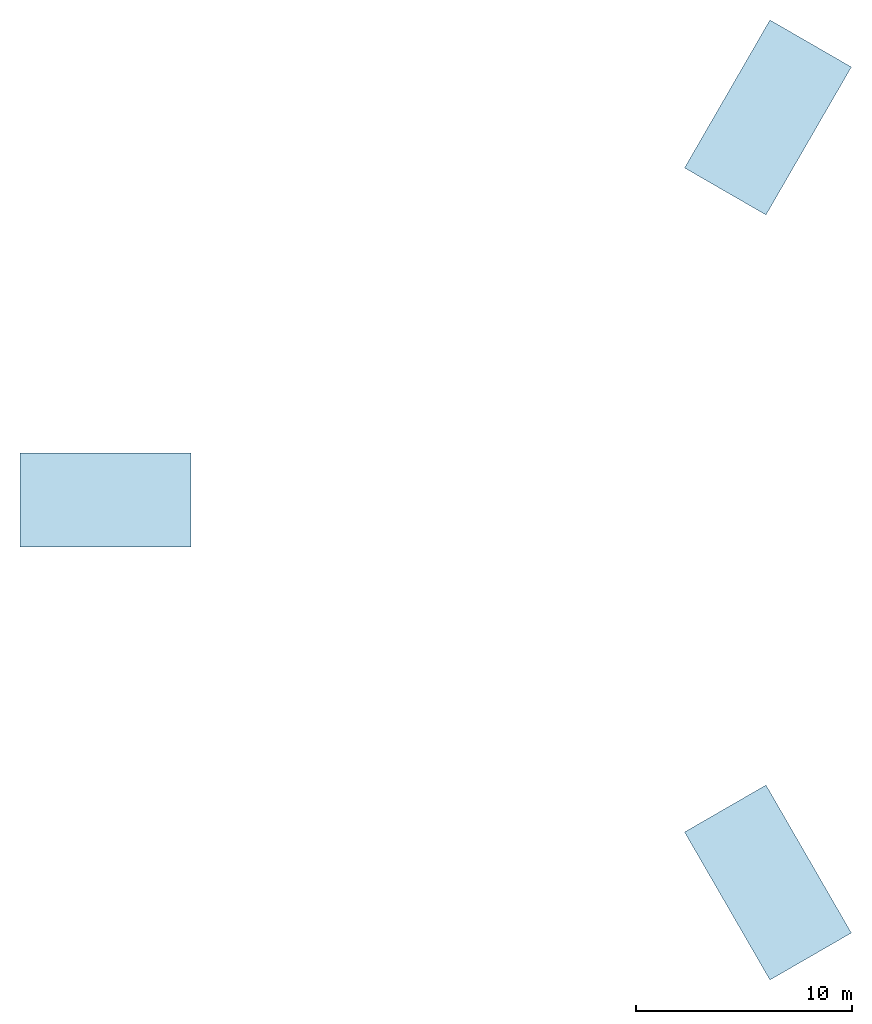
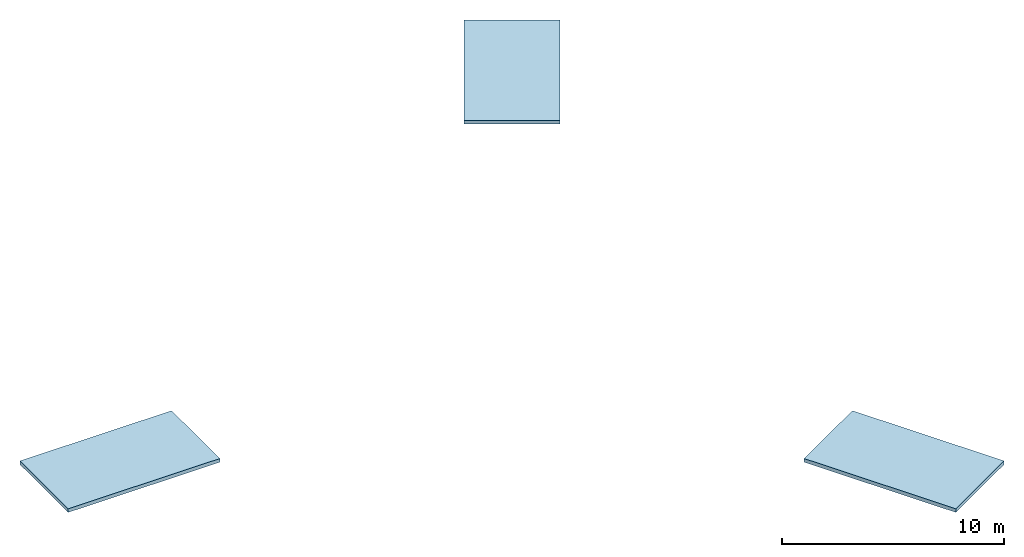
# One storey: 3 slabs.
"""IFC4 building model written with IfcOpenShell, lengths in metres."""

from ifc_helpers import new_model, si_unit, direction, frame, origin, place, context, subcontext, project, spatial, polyline, outline, extrude, material, layer, layer_set, type_object, element, save


model = new_model("IFC4")

# Units and contexts
model_context = context("Model", 3, precision=1e-05, world=origin(), true_north=direction((0.0, 1.0)))
body_context = subcontext(model_context, "Body", "Model", "MODEL_VIEW")
ifc_project = project(units=[si_unit("LENGTHUNIT", "METRE"), si_unit("AREAUNIT", "SQUARE_METRE"), si_unit("VOLUMEUNIT", "CUBIC_METRE"), si_unit("PLANEANGLEUNIT", "RADIAN"), si_unit("MASSUNIT", "GRAM", prefix="KILO")], contexts=[model_context])

# Site, building, storey
site_placement = place(None, origin())
site = spatial("IfcSite", under=ifc_project, at=site_placement, CompositionType="ELEMENT")
building_placement = place(site_placement, origin())
building = spatial("IfcBuilding", under=site, at=building_placement, Name="Jabali Bay Hotel Tower and Convention Centre", CompositionType="ELEMENT")
storey_placement = place(building_placement, frame((0.0, 0.0, 325.300048828125)))
storey = spatial("IfcBuildingStorey", under=building, at=storey_placement, Name="Roof Stair Head-houses", CompositionType="ELEMENT", Elevation=325.300048828125)

# Slabs
ifc_material = material(Name="Concrete C40", Category="concrete")
ifc_layer = layer(ifc_material, 0.199951171875)
ifc_layer_set = layer_set([ifc_layer], Name="Concrete C40")
slab_type = type_object("IfcSlabType", Name="Stair head-house roof 200", PredefinedType="ROOF", material=ifc_layer_set)
slab_1_placement = place(storey_placement, origin())
element("IfcSlab", 1, at=slab_1_placement, inside=storey, type_object=slab_type, Name="Stair 1 head-house roof", PredefinedType="ROOF", context=body_context, shape_type="SweptSolid", body=[
    extrude(outline(polyline([(58.52001953125, 82.175048828125), (50.6201171875, 82.175048828125), (50.6201171875, 77.824951171875), (58.52001953125, 77.824951171875), (58.52001953125, 82.175048828125)])), origin(), (0.0, 0.0, 1.0), 0.199951171875),
])
slab_2_placement = place(storey_placement, origin())
element("IfcSlab", 2, at=slab_2_placement, inside=storey, type_object=slab_type, Name="Stair 2 head-house roof", PredefinedType="ROOF", context=body_context, shape_type="SweptSolid", body=[
    extrude(outline(polyline([(85.12353515625, 93.1845703125), (89.073486328125, 100.026123046875), (85.306396484375, 102.201171875), (81.3564453125, 95.359619140625), (85.12353515625, 93.1845703125)])), origin(), (0.0, 0.0, 1.0), 0.199951171875),
])
slab_3_placement = place(storey_placement, origin())
element("IfcSlab", 3, at=slab_3_placement, inside=storey, type_object=slab_type, Name="Stair 3 head-house roof", PredefinedType="ROOF", context=body_context, shape_type="SweptSolid", body=[
    extrude(outline(polyline([(81.3564453125, 64.640380859375), (85.306396484375, 57.798828125), (89.073486328125, 59.973876953125), (85.12353515625, 66.8154296875), (81.3564453125, 64.640380859375)])), origin(), (0.0, 0.0, 1.0), 0.199951171875),
])

save(model, "model.ifc")
